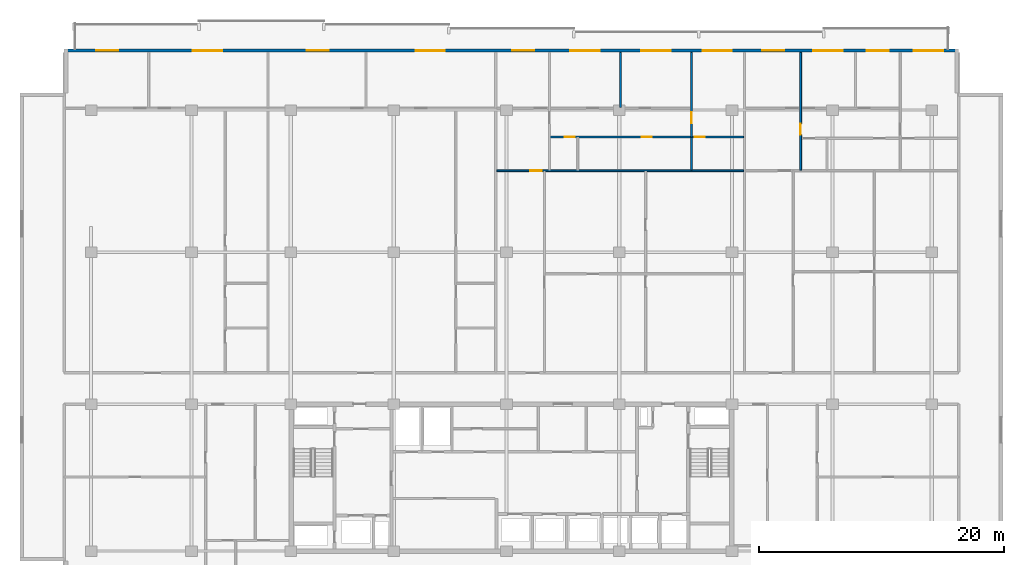
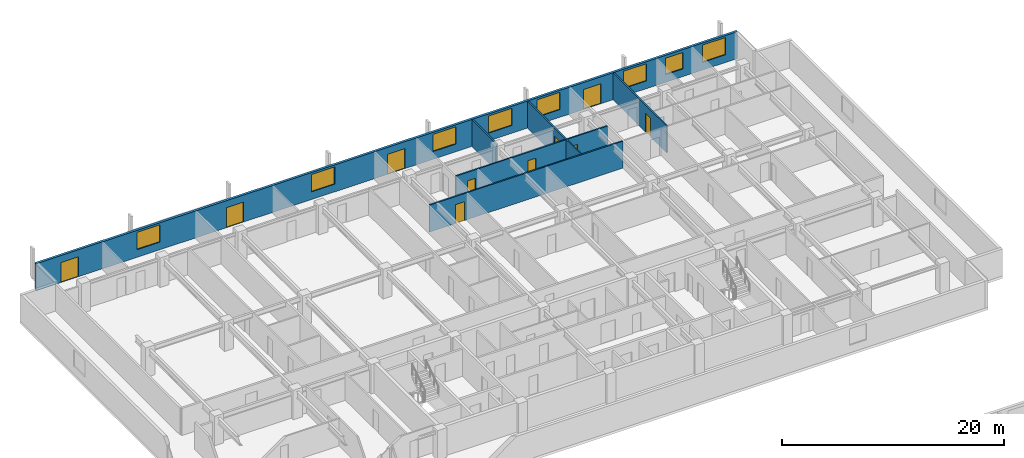
# One storey, part 15 of 22: 10 doors, 8 windows, 7 walls, 18 openings.
"""IFC4 building model written with IfcOpenShell, lengths in metres."""

from ifc_helpers import new_model, si_unit, direction, frame, frame_2d, origin, place, context, subcontext, project, spatial, rectangle, extrude, material, layer, layer_set, type_object, element, fill, save


model = new_model("IFC4")

# Units and contexts
model_context = context("Model", 3, precision=1e-05, world=origin(), true_north=direction((0.0, 1.0)))
body_context = subcontext(model_context, "Body", "Model", "MODEL_VIEW")
ifc_project = project(units=[si_unit("LENGTHUNIT", "METRE"), si_unit("AREAUNIT", "SQUARE_METRE"), si_unit("VOLUMEUNIT", "CUBIC_METRE"), si_unit("PLANEANGLEUNIT", "RADIAN"), si_unit("MASSUNIT", "GRAM", prefix="KILO")], contexts=[model_context])

# Site, building, storey
site_placement = place(None, origin())
site = spatial("IfcSite", under=ifc_project, at=site_placement, CompositionType="ELEMENT")
building_placement = place(site_placement, origin())
building = spatial("IfcBuilding", under=site, at=building_placement, Name="Korimba Cascade Residences", CompositionType="ELEMENT")
storey_placement = place(building_placement, frame((0.0, 0.0, 132.800048828125)))
storey = spatial("IfcBuildingStorey", under=building, at=storey_placement, Name="L38", CompositionType="ELEMENT", Elevation=132.800048828125)

# Wall, openings, doors, windows
ifc_material_1 = material(Name="Precast concrete C40/50", Category="concrete")
ifc_layer_1 = layer(ifc_material_1, 0.25)
ifc_layer_set_1 = layer_set([ifc_layer_1], Name="Precast concrete C40/50")
wall_type_1 = type_object("IfcWallType", Name="EW-LOG-250", PredefinedType="STANDARD", material=ifc_layer_set_1)
wall_1_placement = place(storey_placement, frame((130.60009765625, 96.050048828125, 0.0), z_axis=(0.0, 0.0, 1.0), x_axis=(-1.0, 0.0, 0.0)))
wall_1 = element("IfcWall", 1, at=wall_1_placement, inside=storey, type_object=wall_type_1, Name="L38 T1 Perimeter Stone Wall E06", PredefinedType="STANDARD", context=body_context, shape_type="SweptSolid", body=[
    extrude(rectangle(XDim=73.0, YDim=0.25, at=frame_2d((36.5, 0.0))), origin(), (0.0, 0.0, 1.0), 2.969970703125),
])
opening_1_placement = place(wall_1_placement, frame((68.5908203125, 0.0, 0.0)))
opening_1 = element("IfcOpeningElement", 2, at=opening_1_placement, cuts=wall_1, Name="Opening D-LG1", PredefinedType="OPENING", context=body_context, shape_type="SweptSolid", body=[
    extrude(rectangle(XDim=1.800048828125, YDim=2.199951171875, at=frame_2d((0.89990234375, 1.10009765625))), frame((0.0, 0.135009765625, 0.0), z_axis=(0.0, -1.0, 0.0), x_axis=(1.0, 0.0, 0.0)), (0.0, 0.0, 1.0), 0.27001953125),
])
opening_2_placement = place(wall_1_placement, frame((60.091796875, 0.0, 0.85009765625)))
opening_2 = element("IfcOpeningElement", 3, at=opening_2_placement, cuts=wall_1, Name="Opening W-01", PredefinedType="OPENING", context=body_context, shape_type="SweptSolid", body=[
    extrude(rectangle(XDim=2.39990234375, YDim=1.89990234375, at=frame_2d((1.199951171875, 0.949951171875))), frame((0.0, 0.135009765625, 0.0), z_axis=(0.0, -1.0, 0.0), x_axis=(1.0, 0.0, 0.0)), (0.0, 0.0, 1.0), 0.27001953125),
])
opening_3_placement = place(wall_1_placement, frame((51.405029296875, 0.0, 0.0)))
opening_3 = element("IfcOpeningElement", 4, at=opening_3_placement, cuts=wall_1, Name="Opening D-LG1", PredefinedType="OPENING", context=body_context, shape_type="SweptSolid", body=[
    extrude(rectangle(XDim=1.800048828125, YDim=2.199951171875, at=frame_2d((0.89990234375, 1.10009765625))), frame((0.0, 0.135009765625, 0.0), z_axis=(0.0, -1.0, 0.0), x_axis=(1.0, 0.0, 0.0)), (0.0, 0.0, 1.0), 0.27001953125),
])
opening_4_placement = place(wall_1_placement, frame((41.925048828125, 0.0, 0.85009765625)))
opening_4 = element("IfcOpeningElement", 5, at=opening_4_placement, cuts=wall_1, Name="Opening W-01", PredefinedType="OPENING", context=body_context, shape_type="SweptSolid", body=[
    extrude(rectangle(XDim=2.39990234375, YDim=1.89990234375, at=frame_2d((1.199951171875, 0.949951171875))), frame((0.0, 0.135009765625, 0.0), z_axis=(0.0, -1.0, 0.0), x_axis=(1.0, 0.0, 0.0)), (0.0, 0.0, 1.0), 0.27001953125),
])
opening_5_placement = place(wall_1_placement, frame((29.295654296875, 0.0, 0.85009765625)))
opening_5 = element("IfcOpeningElement", 6, at=opening_5_placement, cuts=wall_1, Name="Opening W-01", PredefinedType="OPENING", context=body_context, shape_type="SweptSolid", body=[
    extrude(rectangle(XDim=2.39990234375, YDim=1.89990234375, at=frame_2d((1.199951171875, 0.949951171875))), frame((0.0, 0.135009765625, 0.0), z_axis=(0.0, -1.0, 0.0), x_axis=(1.0, 0.0, 0.0)), (0.0, 0.0, 1.0), 0.27001953125),
])
opening_6_placement = place(wall_1_placement, frame((23.501953125, 0.0, 0.85009765625)))
opening_6 = element("IfcOpeningElement", 7, at=opening_6_placement, cuts=wall_1, Name="Opening W-01", PredefinedType="OPENING", context=body_context, shape_type="SweptSolid", body=[
    extrude(rectangle(XDim=2.39990234375, YDim=1.89990234375, at=frame_2d((1.199951171875, 0.949951171875))), frame((0.0, 0.135009765625, 0.0), z_axis=(0.0, -1.0, 0.0), x_axis=(1.0, 0.0, 0.0)), (0.0, 0.0, 1.0), 0.27001953125),
])
opening_7_placement = place(wall_1_placement, frame((34.617431640625, 0.0, 0.0)))
opening_7 = element("IfcOpeningElement", 8, at=opening_7_placement, cuts=wall_1, Name="Opening D-LG1", PredefinedType="OPENING", context=body_context, shape_type="SweptSolid", body=[
    extrude(rectangle(XDim=1.800048828125, YDim=2.199951171875, at=frame_2d((0.89990234375, 1.10009765625))), frame((0.0, 0.135009765625, 0.0), z_axis=(0.0, -1.0, 0.0), x_axis=(1.0, 0.0, 0.0)), (0.0, 0.0, 1.0), 0.27001953125),
])
opening_8_placement = place(wall_1_placement, frame((18.5, 0.0, 0.85009765625)))
opening_8 = element("IfcOpeningElement", 9, at=opening_8_placement, cuts=wall_1, Name="Opening W-01", PredefinedType="OPENING", context=body_context, shape_type="SweptSolid", body=[
    extrude(rectangle(XDim=2.39990234375, YDim=1.89990234375, at=frame_2d((1.199951171875, 0.949951171875))), frame((0.0, 0.135009765625, 0.0), z_axis=(0.0, -1.0, 0.0), x_axis=(1.0, 0.0, 0.0)), (0.0, 0.0, 1.0), 0.27001953125),
])
opening_9_placement = place(wall_1_placement, frame((9.45751953125, 0.0, 0.85009765625)))
opening_9 = element("IfcOpeningElement", 10, at=opening_9_placement, cuts=wall_1, Name="Opening W-01", PredefinedType="OPENING", context=body_context, shape_type="SweptSolid", body=[
    extrude(rectangle(XDim=2.39990234375, YDim=1.89990234375, at=frame_2d((1.199951171875, 0.949951171875))), frame((0.0, 0.135009765625, 0.0), z_axis=(0.0, -1.0, 0.0), x_axis=(1.0, 0.0, 0.0)), (0.0, 0.0, 1.0), 0.27001953125),
])
opening_10_placement = place(wall_1_placement, frame((5.695068359375, 0.0, 0.85009765625)))
opening_10 = element("IfcOpeningElement", 11, at=opening_10_placement, cuts=wall_1, Name="Opening W-02", PredefinedType="OPENING", context=body_context, shape_type="SweptSolid", body=[
    extrude(rectangle(XDim=1.800048828125, YDim=1.800048828125, at=frame_2d((0.89990234375, 0.89990234375))), frame((0.0, 0.135009765625, 0.0), z_axis=(0.0, -1.0, 0.0), x_axis=(1.0, 0.0, 0.0)), (0.0, 0.0, 1.0), 0.27001953125),
])
opening_11_placement = place(wall_1_placement, frame((14.22509765625, 0.0, 0.0)))
opening_11 = element("IfcOpeningElement", 12, at=opening_11_placement, cuts=wall_1, Name="Opening D-LG1", PredefinedType="OPENING", context=body_context, shape_type="SweptSolid", body=[
    extrude(rectangle(XDim=1.800048828125, YDim=2.199951171875, at=frame_2d((0.89990234375, 1.10009765625))), frame((0.0, 0.135009765625, 0.0), z_axis=(0.0, -1.0, 0.0), x_axis=(1.0, 0.0, 0.0)), (0.0, 0.0, 1.0), 0.27001953125),
])
opening_12_placement = place(wall_1_placement, frame((1.2451171875, 0.0, 0.85009765625)))
opening_12 = element("IfcOpeningElement", 13, at=opening_12_placement, cuts=wall_1, Name="Opening W-01", PredefinedType="OPENING", context=body_context, shape_type="SweptSolid", body=[
    extrude(rectangle(XDim=2.39990234375, YDim=1.89990234375, at=frame_2d((1.199951171875, 0.949951171875))), frame((0.0, 0.135009765625, 0.0), z_axis=(0.0, -1.0, 0.0), x_axis=(1.0, 0.0, 0.0)), (0.0, 0.0, 1.0), 0.27001953125),
])
ifc_material_2 = material(Name="Glazed Aluminium Loggia Sliding Door", Category="aluminium")
door_type_1 = type_object("IfcDoorType", Name="DR-EXT-LOG", OperationType="NOTDEFINED", PredefinedType="DOOR", material=ifc_material_2)
door_1_placement = place(opening_1_placement, origin())
door_1 = element("IfcDoor", 14, at=door_1_placement, inside=storey, type_object=door_type_1, Name="L38 T1 Loggia Sliding Door 3", OperationType="SLIDING_TO_LEFT", OverallHeight=2.199951171875, OverallWidth=1.800048828125, PredefinedType="DOOR", context=body_context, shape_type="SweptSolid", body=[
    extrude(rectangle(XDim=1.800048828125, YDim=2.199951171875, at=frame_2d((0.89990234375, 1.10009765625))), frame((0.0, 0.02490234375, 0.0), z_axis=(0.0, -1.0, 0.0), x_axis=(1.0, 0.0, 0.0)), (0.0, 0.0, 1.0), 0.050048828125),
])
fill(opening_1, door_1)
door_2_placement = place(opening_3_placement, origin())
door_2 = element("IfcDoor", 15, at=door_2_placement, inside=storey, type_object=door_type_1, Name="L38 T1 Loggia Sliding Door 5", OperationType="SLIDING_TO_LEFT", OverallHeight=2.199951171875, OverallWidth=1.800048828125, PredefinedType="DOOR", context=body_context, shape_type="SweptSolid", body=[
    extrude(rectangle(XDim=1.800048828125, YDim=2.199951171875, at=frame_2d((0.89990234375, 1.10009765625))), frame((0.0, 0.02490234375, 0.0), z_axis=(0.0, -1.0, 0.0), x_axis=(1.0, 0.0, 0.0)), (0.0, 0.0, 1.0), 0.050048828125),
])
fill(opening_3, door_2)
door_3_placement = place(opening_7_placement, origin())
door_3 = element("IfcDoor", 16, at=door_3_placement, inside=storey, type_object=door_type_1, Name="L38 T1 Loggia Sliding Door 9", OperationType="SLIDING_TO_LEFT", OverallHeight=2.199951171875, OverallWidth=1.800048828125, PredefinedType="DOOR", context=body_context, shape_type="SweptSolid", body=[
    extrude(rectangle(XDim=1.800048828125, YDim=2.199951171875, at=frame_2d((0.89990234375, 1.10009765625))), frame((0.0, 0.02490234375, 0.0), z_axis=(0.0, -1.0, 0.0), x_axis=(1.0, 0.0, 0.0)), (0.0, 0.0, 1.0), 0.050048828125),
])
fill(opening_7, door_3)
door_4_placement = place(opening_11_placement, origin())
door_4 = element("IfcDoor", 17, at=door_4_placement, inside=storey, type_object=door_type_1, Name="L38 T1 Loggia Sliding Door 13", OperationType="SLIDING_TO_LEFT", OverallHeight=2.199951171875, OverallWidth=1.800048828125, PredefinedType="DOOR", context=body_context, shape_type="SweptSolid", body=[
    extrude(rectangle(XDim=1.800048828125, YDim=2.199951171875, at=frame_2d((0.89990234375, 1.10009765625))), frame((0.0, 0.02490234375, 0.0), z_axis=(0.0, -1.0, 0.0), x_axis=(1.0, 0.0, 0.0)), (0.0, 0.0, 1.0), 0.050048828125),
])
fill(opening_11, door_4)
ifc_material_3 = material(Name="Double-Glazed Aluminium Window", Category="aluminium")
window_type_1 = type_object("IfcWindowType", Name="WIN-BED-1800", PartitioningType="SINGLE_PANEL", PredefinedType="WINDOW", material=ifc_material_3)
window_1_placement = place(opening_10_placement, origin())
window_1 = element("IfcWindow", 18, at=window_1_placement, inside=storey, type_object=window_type_1, Name="L38 T1 North Facade Window 12", OverallHeight=1.800048828125, OverallWidth=1.800048828125, PartitioningType="SINGLE_PANEL", PredefinedType="WINDOW", context=body_context, shape_type="SweptSolid", body=[
    extrude(rectangle(XDim=1.800048828125, YDim=1.800048828125, at=frame_2d((0.89990234375, 0.89990234375))), frame((0.0, 0.030029296875, 0.0), z_axis=(0.0, -1.0, 0.0), x_axis=(1.0, 0.0, 0.0)), (0.0, 0.0, 1.0), 0.06005859375),
])
fill(opening_10, window_1)
window_type_2 = type_object("IfcWindowType", Name="WIN-RES-2400", PartitioningType="DOUBLE_PANEL_VERTICAL", PredefinedType="WINDOW", material=ifc_material_3)
window_2_placement = place(opening_2_placement, origin())
window_2 = element("IfcWindow", 19, at=window_2_placement, inside=storey, type_object=window_type_2, Name="L38 T1 North Facade Window 4", OverallHeight=1.89990234375, OverallWidth=2.39990234375, PartitioningType="DOUBLE_PANEL_VERTICAL", PredefinedType="WINDOW", context=body_context, shape_type="SweptSolid", body=[
    extrude(rectangle(XDim=2.39990234375, YDim=1.89990234375, at=frame_2d((1.199951171875, 0.949951171875))), frame((0.0, 0.030029296875, 0.0), z_axis=(0.0, -1.0, 0.0), x_axis=(1.0, 0.0, 0.0)), (0.0, 0.0, 1.0), 0.06005859375),
])
fill(opening_2, window_2)
window_3_placement = place(opening_4_placement, origin())
window_3 = element("IfcWindow", 20, at=window_3_placement, inside=storey, type_object=window_type_2, Name="L38 T1 North Facade Window 6", OverallHeight=1.89990234375, OverallWidth=2.39990234375, PartitioningType="DOUBLE_PANEL_VERTICAL", PredefinedType="WINDOW", context=body_context, shape_type="SweptSolid", body=[
    extrude(rectangle(XDim=2.39990234375, YDim=1.89990234375, at=frame_2d((1.199951171875, 0.949951171875))), frame((0.0, 0.030029296875, 0.0), z_axis=(0.0, -1.0, 0.0), x_axis=(1.0, 0.0, 0.0)), (0.0, 0.0, 1.0), 0.06005859375),
])
fill(opening_4, window_3)
window_4_placement = place(opening_5_placement, origin())
window_4 = element("IfcWindow", 21, at=window_4_placement, inside=storey, type_object=window_type_2, Name="L38 T1 North Facade Window 7", OverallHeight=1.89990234375, OverallWidth=2.39990234375, PartitioningType="DOUBLE_PANEL_VERTICAL", PredefinedType="WINDOW", context=body_context, shape_type="SweptSolid", body=[
    extrude(rectangle(XDim=2.39990234375, YDim=1.89990234375, at=frame_2d((1.199951171875, 0.949951171875))), frame((0.0, 0.030029296875, 0.0), z_axis=(0.0, -1.0, 0.0), x_axis=(1.0, 0.0, 0.0)), (0.0, 0.0, 1.0), 0.06005859375),
])
fill(opening_5, window_4)
window_5_placement = place(opening_6_placement, origin())
window_5 = element("IfcWindow", 22, at=window_5_placement, inside=storey, type_object=window_type_2, Name="L38 T1 North Facade Window 8", OverallHeight=1.89990234375, OverallWidth=2.39990234375, PartitioningType="DOUBLE_PANEL_VERTICAL", PredefinedType="WINDOW", context=body_context, shape_type="SweptSolid", body=[
    extrude(rectangle(XDim=2.39990234375, YDim=1.89990234375, at=frame_2d((1.199951171875, 0.949951171875))), frame((0.0, 0.030029296875, 0.0), z_axis=(0.0, -1.0, 0.0), x_axis=(1.0, 0.0, 0.0)), (0.0, 0.0, 1.0), 0.06005859375),
])
fill(opening_6, window_5)
window_6_placement = place(opening_8_placement, origin())
window_6 = element("IfcWindow", 23, at=window_6_placement, inside=storey, type_object=window_type_2, Name="L38 T1 North Facade Window 10", OverallHeight=1.89990234375, OverallWidth=2.39990234375, PartitioningType="DOUBLE_PANEL_VERTICAL", PredefinedType="WINDOW", context=body_context, shape_type="SweptSolid", body=[
    extrude(rectangle(XDim=2.39990234375, YDim=1.89990234375, at=frame_2d((1.199951171875, 0.949951171875))), frame((0.0, 0.030029296875, 0.0), z_axis=(0.0, -1.0, 0.0), x_axis=(1.0, 0.0, 0.0)), (0.0, 0.0, 1.0), 0.06005859375),
])
fill(opening_8, window_6)
window_7_placement = place(opening_9_placement, origin())
window_7 = element("IfcWindow", 24, at=window_7_placement, inside=storey, type_object=window_type_2, Name="L38 T1 North Facade Window 11", OverallHeight=1.89990234375, OverallWidth=2.39990234375, PartitioningType="DOUBLE_PANEL_VERTICAL", PredefinedType="WINDOW", context=body_context, shape_type="SweptSolid", body=[
    extrude(rectangle(XDim=2.39990234375, YDim=1.89990234375, at=frame_2d((1.199951171875, 0.949951171875))), frame((0.0, 0.030029296875, 0.0), z_axis=(0.0, -1.0, 0.0), x_axis=(1.0, 0.0, 0.0)), (0.0, 0.0, 1.0), 0.06005859375),
])
fill(opening_9, window_7)
window_8_placement = place(opening_12_placement, origin())
window_8 = element("IfcWindow", 25, at=window_8_placement, inside=storey, type_object=window_type_2, Name="L38 T1 North Facade Window 14", OverallHeight=1.89990234375, OverallWidth=2.39990234375, PartitioningType="DOUBLE_PANEL_VERTICAL", PredefinedType="WINDOW", context=body_context, shape_type="SweptSolid", body=[
    extrude(rectangle(XDim=2.39990234375, YDim=1.89990234375, at=frame_2d((1.199951171875, 0.949951171875))), frame((0.0, 0.030029296875, 0.0), z_axis=(0.0, -1.0, 0.0), x_axis=(1.0, 0.0, 0.0)), (0.0, 0.0, 1.0), 0.06005859375),
])
fill(opening_12, window_8)

# Walls
ifc_material_4 = material(Name="Insulated Acoustic Stud Partition", Category="gypsum")
ifc_layer_2 = layer(ifc_material_4, 0.14990234375)
ifc_layer_set_2 = layer_set([ifc_layer_2], Name="Insulated Acoustic Stud Partition")
wall_type_2 = type_object("IfcWallType", Name="WAL-PART-150", PredefinedType="PARTITIONING", material=ifc_layer_set_2)
wall_2_placement = place(storey_placement, frame((103.001220703125, 91.429931640625, 0.0), z_axis=(0.0, 0.0, 1.0), x_axis=(0.0, 1.0, 0.0)))
element("IfcWall", 26, at=wall_2_placement, inside=storey, type_object=wall_type_2, Name="L38 Partition Wall WAL-L38-T1-U03-VB3", PredefinedType="PARTITIONING", context=body_context, shape_type="SweptSolid", body=[
    extrude(rectangle(XDim=4.469970703125, YDim=0.14990234375, at=frame_2d((2.23486328125, 0.0))), origin(), (0.0, 0.0, 1.0), 2.969970703125),
])
wall_3_placement = place(storey_placement, frame((108.794921875, 86.2900390625, 0.0), z_axis=(0.0, 0.0, 1.0), x_axis=(0.0, 1.0, 0.0)))
element("IfcWall", 27, at=wall_3_placement, inside=storey, type_object=wall_type_2, Name="L38 Partition Wall WAL-L38-T1-U03-VBATH", PredefinedType="PARTITIONING", context=body_context, shape_type="SweptSolid", body=[
    extrude(rectangle(XDim=2.68994140625, YDim=0.14990234375, at=frame_2d((1.344970703125, 0.0))), origin(), (0.0, 0.0, 1.0), 2.969970703125),
])

# Wall, opening, door
wall_4_placement = place(storey_placement, frame((108.794921875, 89.02001953125, 0.0), z_axis=(0.0, 0.0, 1.0), x_axis=(0.0, 1.0, 0.0)))
wall_4 = element("IfcWall", 28, at=wall_4_placement, inside=storey, type_object=wall_type_2, Name="L38 Partition Wall WAL-L38-T1-U03-V2FULL", PredefinedType="PARTITIONING", context=body_context, shape_type="SweptSolid", body=[
    extrude(rectangle(XDim=6.8798828125, YDim=0.14990234375, at=frame_2d((3.43994140625, 0.0))), origin(), (0.0, 0.0, 1.0), 2.969970703125),
])
opening_13_placement = place(wall_4_placement, frame((1.090087890625, 0.0, 0.0)))
opening_13 = element("IfcOpeningElement", 29, at=opening_13_placement, cuts=wall_4, Name="Opening D-IN1", PredefinedType="OPENING", context=body_context, shape_type="SweptSolid", body=[
    extrude(rectangle(XDim=0.919921875, YDim=2.080078125, at=frame_2d((0.4599609375, 1.0400390625))), frame((0.0, 0.0849609375, 0.0), z_axis=(0.0, -1.0, 0.0), x_axis=(1.0, 0.0, 0.0)), (0.0, 0.0, 1.0), 0.169921875),
])
ifc_material_5 = material(Name="Acoustic Timber Living Door", Category="wood")
door_type_2 = type_object("IfcDoorType", Name="DR-INT-920", OperationType="NOTDEFINED", PredefinedType="DOOR", material=ifc_material_5)
door_5_placement = place(opening_13_placement, origin())
door_5 = element("IfcDoor", 30, at=door_5_placement, inside=storey, type_object=door_type_2, Name="L38-T1-U03 Master Bedroom Door", OperationType="SINGLE_SWING_LEFT", OverallHeight=2.080078125, OverallWidth=0.919921875, PredefinedType="DOOR", context=body_context, shape_type="SweptSolid", body=[
    extrude(rectangle(XDim=0.919921875, YDim=2.080078125, at=frame_2d((0.4599609375, 1.0400390625))), frame((0.0, 0.02490234375, 0.0), z_axis=(0.0, -1.0, 0.0), x_axis=(1.0, 0.0, 0.0)), (0.0, 0.0, 1.0), 0.050048828125),
])
fill(opening_13, door_5)

# Wall, openings, doors
wall_5_placement = place(storey_placement, frame((97.24755859375, 89.0, 0.0), z_axis=(0.0, 0.0, 1.0), x_axis=(1.0, 0.0, 0.0)))
wall_5 = element("IfcWall", 31, at=wall_5_placement, inside=storey, type_object=wall_type_2, Name="L38 Partition Wall WAL-L38-T1-U03-HWALL", PredefinedType="PARTITIONING", context=body_context, shape_type="SweptSolid", body=[
    extrude(rectangle(XDim=15.79736328125, YDim=0.14990234375, at=frame_2d((7.898681640625, 0.0))), origin(), (0.0, 0.0, 1.0), 2.969970703125),
])
opening_14_placement = place(wall_5_placement, frame((1.19091796875, 0.0, 0.0)))
opening_14 = element("IfcOpeningElement", 32, at=opening_14_placement, cuts=wall_5, Name="Opening D-BT1", PredefinedType="OPENING", context=body_context, shape_type="SweptSolid", body=[
    extrude(rectangle(XDim=0.840087890625, YDim=2.0400390625, at=frame_2d((0.419921875, 1.02001953125))), frame((0.0, 0.0849609375, 0.0), z_axis=(0.0, -1.0, 0.0), x_axis=(1.0, 0.0, 0.0)), (0.0, 0.0, 1.0), 0.169921875),
])
opening_15_placement = place(wall_5_placement, frame((7.478759765625, 0.0, 0.0)))
opening_15 = element("IfcOpeningElement", 33, at=opening_15_placement, cuts=wall_5, Name="Opening D-BT1", PredefinedType="OPENING", context=body_context, shape_type="SweptSolid", body=[
    extrude(rectangle(XDim=0.840087890625, YDim=2.0400390625, at=frame_2d((0.419921875, 1.02001953125))), frame((0.0, 0.0849609375, 0.0), z_axis=(0.0, -1.0, 0.0), x_axis=(1.0, 0.0, 0.0)), (0.0, 0.0, 1.0), 0.169921875),
])
opening_16_placement = place(wall_5_placement, frame((11.797607421875, 0.0, 0.0)))
opening_16 = element("IfcOpeningElement", 34, at=opening_16_placement, cuts=wall_5, Name="Opening D-BT1", PredefinedType="OPENING", context=body_context, shape_type="SweptSolid", body=[
    extrude(rectangle(XDim=0.840087890625, YDim=2.0400390625, at=frame_2d((0.419921875, 1.02001953125))), frame((0.0, 0.0849609375, 0.0), z_axis=(0.0, -1.0, 0.0), x_axis=(1.0, 0.0, 0.0)), (0.0, 0.0, 1.0), 0.169921875),
])
ifc_material_6 = material(Name="Moisture-Resistant Bathroom Timber Door", Category="wood")
door_type_3 = type_object("IfcDoorType", Name="DR-INT-850", OperationType="NOTDEFINED", PredefinedType="DOOR", material=ifc_material_6)
door_6_placement = place(opening_14_placement, origin())
door_6 = element("IfcDoor", 35, at=door_6_placement, inside=storey, type_object=door_type_3, Name="L38-T1-U03 Family Bathroom Door", OperationType="SINGLE_SWING_RIGHT", OverallHeight=2.0400390625, OverallWidth=0.840087890625, PredefinedType="DOOR", context=body_context, shape_type="SweptSolid", body=[
    extrude(rectangle(XDim=0.840087890625, YDim=2.0400390625, at=frame_2d((0.419921875, 1.02001953125))), frame((0.0, 0.02490234375, 0.0), z_axis=(0.0, -1.0, 0.0), x_axis=(1.0, 0.0, 0.0)), (0.0, 0.0, 1.0), 0.050048828125),
])
fill(opening_14, door_6)
door_7_placement = place(opening_15_placement, origin())
door_7 = element("IfcDoor", 36, at=door_7_placement, inside=storey, type_object=door_type_3, Name="L38-T1-U03 Dressing Room Door", OperationType="SINGLE_SWING_LEFT", OverallHeight=2.0400390625, OverallWidth=0.840087890625, PredefinedType="DOOR", context=body_context, shape_type="SweptSolid", body=[
    extrude(rectangle(XDim=0.840087890625, YDim=2.0400390625, at=frame_2d((0.419921875, 1.02001953125))), frame((0.0, 0.02490234375, 0.0), z_axis=(0.0, -1.0, 0.0), x_axis=(1.0, 0.0, 0.0)), (0.0, 0.0, 1.0), 0.050048828125),
])
fill(opening_15, door_7)
door_8_placement = place(opening_16_placement, origin())
door_8 = element("IfcDoor", 37, at=door_8_placement, inside=storey, type_object=door_type_3, Name="L38-T1-U03 En-Suite Door", OperationType="SINGLE_SWING_RIGHT", OverallHeight=2.0400390625, OverallWidth=0.840087890625, PredefinedType="DOOR", context=body_context, shape_type="SweptSolid", body=[
    extrude(rectangle(XDim=0.840087890625, YDim=2.0400390625, at=frame_2d((0.419921875, 1.02001953125))), frame((0.0, 0.02490234375, 0.0), z_axis=(0.0, -1.0, 0.0), x_axis=(1.0, 0.0, 0.0)), (0.0, 0.0, 1.0), 0.050048828125),
])
fill(opening_16, door_8)

# Wall, opening, door
wall_6_placement = place(storey_placement, frame((92.91748046875, 86.25, 0.0), z_axis=(0.0, 0.0, 1.0), x_axis=(1.0, 0.0, 0.0)))
wall_6 = element("IfcWall", 38, at=wall_6_placement, inside=storey, type_object=wall_type_2, Name="L38 Partition Wall WAL-L38-T1-U03-MW", PredefinedType="PARTITIONING", context=body_context, shape_type="SweptSolid", body=[
    extrude(rectangle(XDim=20.12744140625, YDim=0.14990234375, at=frame_2d((10.063720703125, 0.0))), origin(), (0.0, 0.0, 1.0), 2.969970703125),
])
opening_17_placement = place(wall_6_placement, frame((2.719970703125, 0.0, 0.0)))
opening_17 = element("IfcOpeningElement", 39, at=opening_17_placement, cuts=wall_6, Name="Opening D-IN1", PredefinedType="OPENING", context=body_context, shape_type="SweptSolid", body=[
    extrude(rectangle(XDim=0.919921875, YDim=2.080078125, at=frame_2d((0.4599609375, 1.0400390625))), frame((0.0, 0.0849609375, 0.0), z_axis=(0.0, -1.0, 0.0), x_axis=(1.0, 0.0, 0.0)), (0.0, 0.0, 1.0), 0.169921875),
])
door_9_placement = place(opening_17_placement, origin())
door_9 = element("IfcDoor", 40, at=door_9_placement, inside=storey, type_object=door_type_2, Name="L38-T1-U03 Kitchen Door", OperationType="SINGLE_SWING_LEFT", OverallHeight=2.080078125, OverallWidth=0.919921875, PredefinedType="DOOR", context=body_context, shape_type="SweptSolid", body=[
    extrude(rectangle(XDim=0.919921875, YDim=2.080078125, at=frame_2d((0.4599609375, 1.0400390625))), frame((0.0, 0.02490234375, 0.0), z_axis=(0.0, -1.0, 0.0), x_axis=(1.0, 0.0, 0.0)), (0.0, 0.0, 1.0), 0.050048828125),
])
fill(opening_17, door_9)

wall_7_placement = place(storey_placement, frame((117.705078125, 86.2900390625, 0.0), z_axis=(0.0, 0.0, 1.0), x_axis=(0.0, 1.0, 0.0)))
wall_7 = element("IfcWall", 41, at=wall_7_placement, inside=storey, type_object=wall_type_2, Name="L38 Partition Wall WAL-L38-T1-U04-V1", PredefinedType="PARTITIONING", context=body_context, shape_type="SweptSolid", body=[
    extrude(rectangle(XDim=9.60986328125, YDim=0.14990234375, at=frame_2d((4.804931640625, 0.0))), origin(), (0.0, 0.0, 1.0), 2.969970703125),
])
opening_18_placement = place(wall_7_placement, frame((2.8798828125, 0.0, 0.0)))
opening_18 = element("IfcOpeningElement", 42, at=opening_18_placement, cuts=wall_7, Name="Opening D-IN1", PredefinedType="OPENING", context=body_context, shape_type="SweptSolid", body=[
    extrude(rectangle(XDim=0.919921875, YDim=2.080078125, at=frame_2d((0.4599609375, 1.0400390625))), frame((0.0, 0.0849609375, 0.0), z_axis=(0.0, -1.0, 0.0), x_axis=(1.0, 0.0, 0.0)), (0.0, 0.0, 1.0), 0.169921875),
])
door_10_placement = place(opening_18_placement, origin())
door_10 = element("IfcDoor", 43, at=door_10_placement, inside=storey, type_object=door_type_2, Name="L38-T1-U04 Hallway Door", OperationType="SINGLE_SWING_LEFT", OverallHeight=2.080078125, OverallWidth=0.919921875, PredefinedType="DOOR", context=body_context, shape_type="SweptSolid", body=[
    extrude(rectangle(XDim=0.919921875, YDim=2.080078125, at=frame_2d((0.4599609375, 1.0400390625))), frame((0.0, 0.02490234375, 0.0), z_axis=(0.0, -1.0, 0.0), x_axis=(1.0, 0.0, 0.0)), (0.0, 0.0, 1.0), 0.050048828125),
])
fill(opening_18, door_10)

save(model, "model.ifc")
